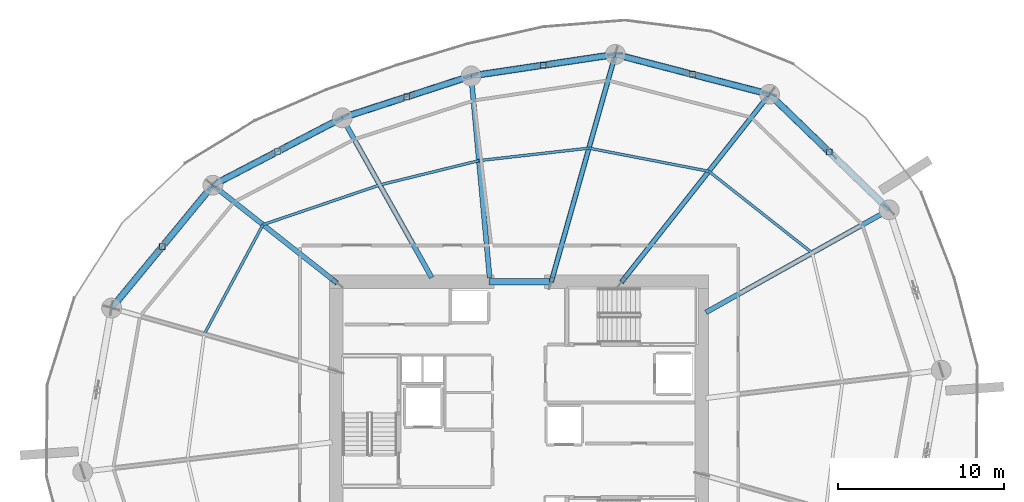
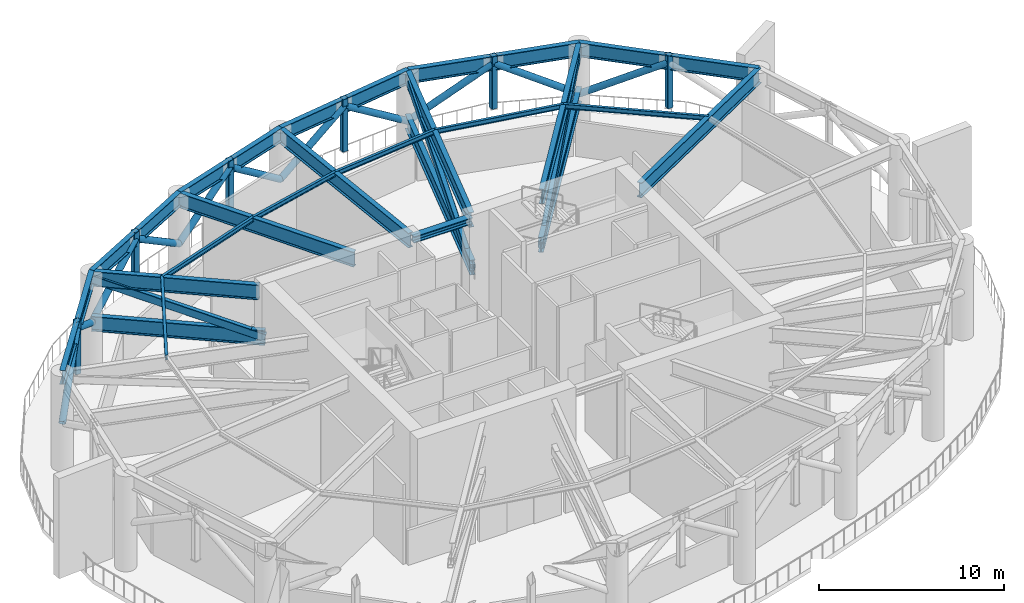
# One storey, part 7 of 19: 22 beams, 20 members.
"""IFC4 building model written with IfcOpenShell, lengths in metres."""

import ifcopenshell
import ifcopenshell.guid

model = None  # the IFC model being written
_history = None  # IfcOwnerHistory: only IFC2X3 demands one
_inside = {}  # id of a spatial element -> (the spatial element, [elements in it])
_under = {}  # id of a project, library or spatial element -> (it, [spatial elements below it])
_declared = {}  # id of a project -> (the project, [libraries it declares])
_typed = {}  # id of a type object -> (the type object, [elements of that type])
_made_of = {}  # id of a material, layer set ... -> (it, [elements and type objects made of it])


def new_model(schema):
    """Start an empty IFC model of exactly this schema.

    Asked for "IFC4X3", IfcOpenShell would pick the latest addendum, in which some entities
    have other attributes; the version numbers below select the first issue.
    IFC2X3 requires an IfcOwnerHistory on every rooted entity: one is made here for all.
    """
    global model, _history
    if schema == "IFC4X3":
        model = ifcopenshell.file(schema_version=(4, 3, 0, 0))
    else:
        model = ifcopenshell.file(schema=schema)
    _inside.clear()
    _under.clear()
    _declared.clear()
    _typed.clear()
    _made_of.clear()
    _history = None
    if model.schema == "IFC2X3":
        org = make("IfcOrganization", Name="unknown")
        user = make(
            "IfcPersonAndOrganization",
            ThePerson=make("IfcPerson", FamilyName="unknown"),
            TheOrganization=org,
        )
        app = make(
            "IfcApplication",
            ApplicationDeveloper=org,
            Version="unknown",
            ApplicationFullName="unknown",
            ApplicationIdentifier="unknown",
        )
        _history = make(
            "IfcOwnerHistory",
            OwningUser=user,
            OwningApplication=app,
            ChangeAction="ADDED",
            CreationDate=0,
        )
    return model


def make(cls, **values):
    """One entity of the class cls with the attributes given. An attribute that is None is left unset."""
    return model.create_entity(
        cls, **{name: value for name, value in values.items() if value is not None}
    )


def rooted(cls, **values):
    """An entity with a GlobalId (a new one), such as an element, a storey or a relation."""
    return make(cls, GlobalId=ifcopenshell.guid.new(), OwnerHistory=_history, **values)


def si_unit(unit_type, name, prefix=None):
    """IfcSIUnit, for example si_unit("LENGTHUNIT", "METRE", prefix="MILLI")."""
    return make("IfcSIUnit", UnitType=unit_type, Prefix=prefix, Name=name)


def assignment(units):
    """IfcUnitAssignment: the units of a project."""
    return None if units is None else make("IfcUnitAssignment", Units=units)


def point(xyz):
    """IfcCartesianPoint."""
    return None if xyz is None else make("IfcCartesianPoint", Coordinates=xyz)


def direction(xyz):
    """IfcDirection."""
    return None if xyz is None else make("IfcDirection", DirectionRatios=xyz)


def frame(location, z_axis=None, x_axis=None):
    """IfcAxis2Placement3D, a coordinate frame: its origin and axes. An axis left out is left unset."""
    return make(
        "IfcAxis2Placement3D",
        Location=point(location),
        Axis=direction(z_axis),
        RefDirection=direction(x_axis),
    )


def frame_2d(location, x_axis=None):
    """IfcAxis2Placement2D, a coordinate frame in the plane: its origin and x axis."""
    return make(
        "IfcAxis2Placement2D", Location=point(location), RefDirection=direction(x_axis)
    )


def origin():
    """The frame at (0, 0, 0) with its axes left unset."""
    return frame((0.0, 0.0, 0.0))


def origin_2d():
    """The frame at (0, 0) in the plane with its x axis left unset."""
    return frame_2d((0.0, 0.0))


def place(relative_to, where):
    """IfcLocalPlacement: puts the frame where relative to a parent placement (None: the world)."""
    return make(
        "IfcLocalPlacement", PlacementRelTo=relative_to, RelativePlacement=where
    )


def context(
    kind, dimensions, precision=None, world=None, true_north=None, identifier=None
):
    """IfcGeometricRepresentationContext, for example the 3D "Model" context."""
    return make(
        "IfcGeometricRepresentationContext",
        ContextIdentifier=identifier,
        ContextType=kind,
        CoordinateSpaceDimension=dimensions,
        Precision=precision,
        WorldCoordinateSystem=world,
        TrueNorth=true_north,
    )


def subcontext(parent, identifier, kind, view, scale=None):
    """IfcGeometricRepresentationSubContext, for example "Body" below "Model"."""
    return make(
        "IfcGeometricRepresentationSubContext",
        ContextIdentifier=identifier,
        ContextType=kind,
        ParentContext=parent,
        TargetScale=scale,
        TargetView=view,
    )


def project(units=None, contexts=None):
    """IfcProject with its units and contexts."""
    return rooted(
        "IfcProject",
        Name="project",
        RepresentationContexts=contexts,
        UnitsInContext=assignment(units),
    )


def spatial(cls, under=None, at=None, **own):
    """A site, building, storey or space (cls), placed at a placement, below another one or the project."""
    s = rooted(cls, ObjectPlacement=at, **own)
    if under is not None:
        _under.setdefault(under.id(), (under, []))[1].append(s)
    return s


def profile(cls, at=None, kind="AREA", **sizes):
    """A parametric profile (cls). Its sizes go by their IFC names, for example OverallWidth=200.0."""
    return make(cls, ProfileType=kind, Position=at, **sizes)


def hollow_rectangle(**sizes):
    """IfcRectangleHollowProfileDef."""
    return profile("IfcRectangleHollowProfileDef", **sizes)


def hollow_circle(**sizes):
    """IfcCircleHollowProfileDef."""
    return profile("IfcCircleHollowProfileDef", **sizes)


def i_section(**sizes):
    """IfcIShapeProfileDef."""
    return profile("IfcIShapeProfileDef", **sizes)


def extrude(swept, where, along, depth):
    """IfcExtrudedAreaSolid: the profile swept, set in the frame where, extruded along a direction by depth."""
    return make(
        "IfcExtrudedAreaSolid",
        SweptArea=swept,
        Position=where,
        ExtrudedDirection=direction(along),
        Depth=depth,
    )


def shape(context_of_items, identifier, shape_type, items):
    """IfcShapeRepresentation: the items that make up one representation, for example the "Body"."""
    return make(
        "IfcShapeRepresentation",
        ContextOfItems=context_of_items,
        RepresentationIdentifier=identifier,
        RepresentationType=shape_type,
        Items=items,
    )


def material(Name=None, Category=None):
    """IfcMaterial."""
    return make("IfcMaterial", Name=Name, Category=Category)


def material_profile(
    of_material, cross_section, Name=None, Category=None, Priority=None
):
    """IfcMaterialProfile: a cross section and its material."""
    return make(
        "IfcMaterialProfile",
        Name=Name,
        Material=of_material,
        Profile=cross_section,
        Priority=Priority,
        Category=Category,
    )


def profile_set(profiles, Name=None, composite=None):
    """IfcMaterialProfileSet."""
    return make(
        "IfcMaterialProfileSet",
        Name=Name,
        MaterialProfiles=profiles,
        CompositeProfile=composite,
    )


def made_of(thing, what):
    """Note that an element or type object is made of a material, layer set ...; save() writes the relation."""
    if what is not None:
        _made_of.setdefault(what.id(), (what, []))[1].append(thing)
    return thing


def type_object(cls, material=None, **own):
    """A type object (cls), such as IfcWallType, which elements share."""
    return made_of(rooted(cls, **own), material)


def element(
    cls,
    number,
    at=None,
    inside=None,
    cuts=None,
    type_object=None,
    material=None,
    context=None,
    identifier="Body",
    shape_type=None,
    held_by="IfcProductDefinitionShape",
    body=None,
    shapes=None,
    **own,
):
    """One element of the class cls, such as IfcWall. Its Tag is "e" and its number.

    at: its placement. inside: the storey or other place that contains it. cuts: it is an
    opening in that element (IfcRelVoidsElement). A single representation is given by context,
    identifier, shape_type and body (its items); several are given by shapes. held_by: the class
    of the entity that holds the representations. save() writes the other relations.
    """
    e = rooted(cls, Tag="e%d" % number, ObjectPlacement=at, **own)
    if body is not None:
        shapes = [shape(context, identifier, shape_type, body)]
    if shapes is not None:
        e.Representation = make(held_by, Representations=shapes)
    if inside is not None:
        _inside.setdefault(inside.id(), (inside, []))[1].append(e)
    if cuts is not None:
        rooted(
            "IfcRelVoidsElement", RelatingBuildingElement=cuts, RelatedOpeningElement=e
        )
    if type_object is not None:
        _typed.setdefault(type_object.id(), (type_object, []))[1].append(e)
    return made_of(e, material)


def aggregate(whole, parts):
    """IfcRelAggregates: a whole, such as a stair, and the parts it consists of."""
    return rooted("IfcRelAggregates", RelatingObject=whole, RelatedObjects=parts)


def save(model, path):
    """Write the relations noted so far, then the file.

    IfcRelAggregates (storeys below a building ...), IfcRelContainedInSpatialStructure (elements
    in a storey), IfcRelDefinesByType, IfcRelAssociatesMaterial and IfcRelDeclares: one each for
    every whole, place, type object, material and project.
    """
    for whole, parts in _under.values():
        aggregate(whole, parts)
    for where, things in _inside.values():
        rooted(
            "IfcRelContainedInSpatialStructure",
            RelatedElements=things,
            RelatingStructure=where,
        )
    for kind, things in _typed.values():
        rooted("IfcRelDefinesByType", RelatedObjects=things, RelatingType=kind)
    for what, things in _made_of.values():
        rooted("IfcRelAssociatesMaterial", RelatedObjects=things, RelatingMaterial=what)
    for by, libraries in _declared.values():
        rooted("IfcRelDeclares", RelatingContext=by, RelatedDefinitions=libraries)
    model.write(path)


model = new_model("IFC4")

# Units and contexts
model_context = context("Model", 3, precision=1e-05, world=origin(), true_north=direction((0.0, 1.0)))
body_context = subcontext(model_context, "Body", "Model", "MODEL_VIEW")
ifc_project = project(units=[si_unit("LENGTHUNIT", "METRE"), si_unit("AREAUNIT", "SQUARE_METRE"), si_unit("VOLUMEUNIT", "CUBIC_METRE"), si_unit("PLANEANGLEUNIT", "RADIAN"), si_unit("MASSUNIT", "GRAM", prefix="KILO")], contexts=[model_context])

# Site, building, storey
site_placement = place(None, origin())
site = spatial("IfcSite", under=ifc_project, at=site_placement, CompositionType="ELEMENT")
building_placement = place(site_placement, origin())
building = spatial("IfcBuilding", under=site, at=building_placement, Name="Kazma Halo Residences", CompositionType="ELEMENT")
storey_placement = place(building_placement, frame((0.0, 0.0, 116.39990234375)))
storey = spatial("IfcBuildingStorey", under=building, at=storey_placement, Name="L29", CompositionType="ELEMENT", Elevation=116.39990234375)

# Beams
ifc_material = material(Name="Steel S355", Category="steel")
ifc_material_profile_1 = material_profile(ifc_material, i_section(OverallWidth=0.30908203125, OverallDepth=0.931884765625, WebThickness=0.02099609375, FlangeThickness=0.034423828125, FilletRadius=0.02392578125, at=origin_2d()), Name="W920x313")
ifc_profile_set_1 = profile_set([ifc_material_profile_1], Name="Steel S355")
beam_type_1 = type_object("IfcBeamType", Name="BM-BELT-W920A", PredefinedType="BEAM", material=ifc_profile_set_1)
beam_1_placement = place(storey_placement, frame((70.7529296875, 54.7421875, 5.814208984375), z_axis=(-0.71933980474, 0.694658365901, 0.0), x_axis=(-0.694658365901, -0.71933980474, 0.0)))
element("IfcBeam", 1, at=beam_1_placement, inside=storey, type_object=beam_type_1, Name="L29 perimeter ring beam 01", PredefinedType="BEAM", context=body_context, shape_type="SweptSolid", body=[
    extrude(i_section(OverallWidth=0.30908203125, OverallDepth=0.931884765625, WebThickness=0.02099609375, FlangeThickness=0.034423828125, FilletRadius=0.02392578125, at=origin_2d()), origin(), (0.0, 0.0, 1.0), 10.0302734375),
])
beam_2_placement = place(storey_placement, frame((63.537841796875, 61.709716796875, 5.814208984375), z_axis=(-0.968129383871, 0.250450586115, 0.0), x_axis=(-0.250450586115, -0.968129383871, 0.0)))
element("IfcBeam", 2, at=beam_2_placement, inside=storey, type_object=beam_type_1, Name="L29 perimeter ring beam 02", PredefinedType="BEAM", context=body_context, shape_type="SweptSolid", body=[
    extrude(i_section(OverallWidth=0.30908203125, OverallDepth=0.931884765625, WebThickness=0.02099609375, FlangeThickness=0.034423828125, FilletRadius=0.02392578125, at=origin_2d()), origin(), (0.0, 0.0, 1.0), 9.606689453125),
])
beam_3_placement = place(storey_placement, frame((54.2373046875, 64.11572265625, 5.814208984375), z_axis=(-0.989037895596, -0.147661914772, 0.0), x_axis=(0.147661914772, -0.989037895596, 0.0)))
element("IfcBeam", 3, at=beam_3_placement, inside=storey, type_object=beam_type_1, Name="L29 perimeter ring beam 03", PredefinedType="BEAM", context=body_context, shape_type="SweptSolid", body=[
    extrude(i_section(OverallWidth=0.30908203125, OverallDepth=0.931884765625, WebThickness=0.02099609375, FlangeThickness=0.034423828125, FilletRadius=0.02392578125, at=origin_2d()), origin(), (0.0, 0.0, 1.0), 8.797607421875),
])
beam_4_placement = place(storey_placement, frame((45.5361328125, 62.816650390625, 5.814208984375), z_axis=(-0.951050080811, -0.309036800058, 0.0), x_axis=(0.309036800058, -0.951050080811, 0.0)))
element("IfcBeam", 4, at=beam_4_placement, inside=storey, type_object=beam_type_1, Name="L29 perimeter ring beam 04", PredefinedType="BEAM", context=body_context, shape_type="SweptSolid", body=[
    extrude(i_section(OverallWidth=0.30908203125, OverallDepth=0.931884765625, WebThickness=0.02099609375, FlangeThickness=0.034423828125, FilletRadius=0.02392578125, at=origin_2d()), origin(), (0.0, 0.0, 1.0), 8.178955078125),
])
beam_5_placement = place(storey_placement, frame((37.757568359375, 60.2890625, 5.814208984375), z_axis=(-0.886952216375, -0.46186119762, 0.0), x_axis=(0.46186119762, -0.886952216375, 0.0)))
element("IfcBeam", 5, at=beam_5_placement, inside=storey, type_object=beam_type_1, Name="L29 perimeter ring beam 05", PredefinedType="BEAM", context=body_context, shape_type="SweptSolid", body=[
    extrude(i_section(OverallWidth=0.30908203125, OverallDepth=0.931884765625, WebThickness=0.02099609375, FlangeThickness=0.034423828125, FilletRadius=0.02392578125, at=origin_2d()), origin(), (0.0, 0.0, 1.0), 8.797607421875),
])
beam_6_placement = place(storey_placement, frame((29.95458984375, 56.225830078125, 5.814208984375), z_axis=(-0.636018081662, -0.771674153901, 0.0), x_axis=(0.771674153901, -0.636018081662, 0.0)))
element("IfcBeam", 6, at=beam_6_placement, inside=storey, type_object=beam_type_1, Name="L29 perimeter ring beam 06", PredefinedType="BEAM", context=body_context, shape_type="SweptSolid", body=[
    extrude(i_section(OverallWidth=0.30908203125, OverallDepth=0.931884765625, WebThickness=0.02099609375, FlangeThickness=0.034423828125, FilletRadius=0.02392578125, at=origin_2d()), origin(), (0.0, 0.0, 1.0), 9.60693359375),
])
ifc_material_profile_2 = material_profile(ifc_material, i_section(OverallWidth=0.408935546875, OverallDepth=0.425048828125, WebThickness=0.03271484375, FlangeThickness=0.052490234375, FilletRadius=0.02001953125, at=origin_2d()), Name="W360x421")
ifc_profile_set_2 = profile_set([ifc_material_profile_2], Name="Steel S355")
beam_type_2 = type_object("IfcBeamType", Name="BM-CORE-W360H", PredefinedType="BEAM", material=ifc_profile_set_2)
beam_7_placement = place(storey_placement, frame((46.60009765625, 50.39990234375, 6.067626953125), z_axis=(1.0, 0.0, 0.0), x_axis=(0.0, 1.0, 0.0)))
element("IfcBeam", 7, at=beam_7_placement, inside=storey, type_object=beam_type_2, Name="L29 core coupling beam N", PredefinedType="BEAM", context=body_context, shape_type="SweptSolid", body=[
    extrude(i_section(OverallWidth=0.408935546875, OverallDepth=0.425048828125, WebThickness=0.03271484375, FlangeThickness=0.052490234375, FilletRadius=0.02001953125, at=origin_2d()), origin(), (0.0, 0.0, 1.0), 3.64990234375),
])
ifc_material_profile_3 = material_profile(ifc_material, i_section(OverallWidth=0.300048828125, OverallDepth=0.98193359375, WebThickness=0.0166015625, FlangeThickness=0.032958984375, FilletRadius=0.02587890625, at=origin_2d()), Name="W1000x296")
ifc_profile_set_3 = profile_set([ifc_material_profile_3], Name="Steel S355")
beam_type_3 = type_object("IfcBeamType", Name="BM-OUTR-W1000C", PredefinedType="BEAM", material=ifc_profile_set_3)
beam_8_placement = place(storey_placement, frame((59.699951171875, 48.55224609375, 5.7890625), z_axis=(0.872496814107, 0.48861980043, 0.0), x_axis=(-0.48861980043, 0.872496814107, 0.0)))
element("IfcBeam", 8, at=beam_8_placement, inside=storey, type_object=beam_type_3, Name="L29 radial floor beam 01", PredefinedType="BEAM", context=body_context, shape_type="SweptSolid", body=[
    extrude(i_section(OverallWidth=0.300048828125, OverallDepth=0.98193359375, WebThickness=0.0166015625, FlangeThickness=0.032958984375, FilletRadius=0.02587890625, at=origin_2d()), origin(), (0.0, 0.0, 1.0), 12.668212890625),
])
beam_9_placement = place(storey_placement, frame((54.819091796875, 50.64990234375, 5.7890625), z_axis=(0.619089364637, 0.785320545123, 0.0), x_axis=(-0.785320545123, 0.619089364637, 0.0)))
element("IfcBeam", 9, at=beam_9_placement, inside=storey, type_object=beam_type_3, Name="L29 radial floor beam 02", PredefinedType="BEAM", context=body_context, shape_type="SweptSolid", body=[
    extrude(i_section(OverallWidth=0.300048828125, OverallDepth=0.98193359375, WebThickness=0.0166015625, FlangeThickness=0.032958984375, FilletRadius=0.02587890625, at=origin_2d()), origin(), (0.0, 0.0, 1.0), 14.083251953125),
])
beam_10_placement = place(storey_placement, frame((50.439697265625, 50.64990234375, 5.7890625), z_axis=(0.271430738381, 0.962457975323, 0.0), x_axis=(-0.962457975323, 0.271430738381, 0.0)))
element("IfcBeam", 10, at=beam_10_placement, inside=storey, type_object=beam_type_3, Name="L29 radial floor beam 03", PredefinedType="BEAM", context=body_context, shape_type="SweptSolid", body=[
    extrude(i_section(OverallWidth=0.300048828125, OverallDepth=0.98193359375, WebThickness=0.0166015625, FlangeThickness=0.032958984375, FilletRadius=0.02587890625, at=origin_2d()), origin(), (0.0, 0.0, 1.0), 13.990966796875),
])
beam_11_placement = place(storey_placement, frame((46.64990234375, 50.64990234375, 5.7890625), z_axis=(-0.091160923589, 0.995836174283, 0.0), x_axis=(-0.995836174283, -0.091160923589, 0.0)))
element("IfcBeam", 11, at=beam_11_placement, inside=storey, type_object=beam_type_3, Name="L29 radial floor beam 04", PredefinedType="BEAM", context=body_context, shape_type="SweptSolid", body=[
    extrude(i_section(OverallWidth=0.300048828125, OverallDepth=0.98193359375, WebThickness=0.0166015625, FlangeThickness=0.032958984375, FilletRadius=0.02587890625, at=origin_2d()), origin(), (0.0, 0.0, 1.0), 12.217529296875),
])
beam_12_placement = place(storey_placement, frame((43.15576171875, 50.64990234375, 5.7890625), z_axis=(-0.488621537567, 0.872495841266, 0.0), x_axis=(-0.872495841266, -0.488621537567, 0.0)))
element("IfcBeam", 12, at=beam_12_placement, inside=storey, type_object=beam_type_3, Name="L29 radial floor beam 05", PredefinedType="BEAM", context=body_context, shape_type="SweptSolid", body=[
    extrude(i_section(OverallWidth=0.300048828125, OverallDepth=0.98193359375, WebThickness=0.0166015625, FlangeThickness=0.032958984375, FilletRadius=0.02587890625, at=origin_2d()), origin(), (0.0, 0.0, 1.0), 11.0478515625),
])
beam_13_placement = place(storey_placement, frame((37.14990234375, 50.553466796875, 5.7890625), z_axis=(-0.785315005772, 0.61909639129, 0.0), x_axis=(-0.61909639129, -0.785315005772, 0.0)))
element("IfcBeam", 13, at=beam_13_placement, inside=storey, type_object=beam_type_3, Name="L29 radial floor beam 06", PredefinedType="BEAM", context=body_context, shape_type="SweptSolid", body=[
    extrude(i_section(OverallWidth=0.300048828125, OverallDepth=0.98193359375, WebThickness=0.0166015625, FlangeThickness=0.032958984375, FilletRadius=0.02587890625, at=origin_2d()), origin(), (0.0, 0.0, 1.0), 9.162353515625),
])
beam_14_placement = place(storey_placement, frame((54.6220703125, 50.39990234375, 2.820068359375), z_axis=(0.61908678416, 0.785322579376, 0.0), x_axis=(-0.785322579376, 0.61908678416, 0.0)))
element("IfcBeam", 14, at=beam_14_placement, inside=storey, type_object=beam_type_3, Name="L29 radial outrigger bottom chord 01", PredefinedType="BEAM", context=body_context, shape_type="SweptSolid", body=[
    extrude(i_section(OverallWidth=0.300048828125, OverallDepth=0.98193359375, WebThickness=0.0166015625, FlangeThickness=0.032958984375, FilletRadius=0.02587890625, at=origin_2d()), origin(), (0.0, 0.0, 1.0), 14.4013671875),
])
beam_15_placement = place(storey_placement, frame((50.368896484375, 50.39990234375, 2.820068359375), z_axis=(0.271449992475, 0.962452545108, 0.0), x_axis=(-0.962452545108, 0.271449992475, 0.0)))
element("IfcBeam", 15, at=beam_15_placement, inside=storey, type_object=beam_type_3, Name="L29 radial outrigger bottom chord 02", PredefinedType="BEAM", context=body_context, shape_type="SweptSolid", body=[
    extrude(i_section(OverallWidth=0.300048828125, OverallDepth=0.98193359375, WebThickness=0.0166015625, FlangeThickness=0.032958984375, FilletRadius=0.02587890625, at=origin_2d()), origin(), (0.0, 0.0, 1.0), 14.2509765625),
])
beam_16_placement = place(storey_placement, frame((37.39990234375, 50.3564453125, 2.820068359375), z_axis=(-0.785318281901, 0.619092235545, 0.0), x_axis=(-0.619092235545, -0.785318281901, 0.0)))
element("IfcBeam", 16, at=beam_16_placement, inside=storey, type_object=beam_type_3, Name="L29 radial outrigger bottom chord 03", PredefinedType="BEAM", context=body_context, shape_type="SweptSolid", body=[
    extrude(i_section(OverallWidth=0.300048828125, OverallDepth=0.98193359375, WebThickness=0.0166015625, FlangeThickness=0.032958984375, FilletRadius=0.02587890625, at=origin_2d()), origin(), (0.0, 0.0, 1.0), 9.480712890625),
])
ifc_material_profile_4 = material_profile(ifc_material, i_section(OverallWidth=0.1650390625, OverallDepth=0.31005859375, WebThickness=0.005859375, FlangeThickness=0.009765625, FilletRadius=0.011962890625, at=origin_2d()), Name="W310x38.7")
ifc_profile_set_4 = profile_set([ifc_material_profile_4], Name="Steel S355")
beam_type_4 = type_object("IfcBeamType", Name="BM-SEC-W310B", PredefinedType="JOIST", material=ifc_profile_set_4)
beam_17_placement = place(storey_placement, frame((66.110595703125, 52.142333984375, 6.125), z_axis=(-0.784864670707, 0.619667208004, 0.0), x_axis=(-0.619667208004, -0.784864670707, 0.0)))
element("IfcBeam", 17, at=beam_17_placement, inside=storey, type_object=beam_type_4, Name="L29 circumferential floor joist 01", PredefinedType="JOIST", context=body_context, shape_type="SweptSolid", body=[
    extrude(i_section(OverallWidth=0.1650390625, OverallDepth=0.31005859375, WebThickness=0.005859375, FlangeThickness=0.009765625, FilletRadius=0.011962890625, at=origin_2d()), origin(), (0.0, 0.0, 1.0), 7.943603515625),
])
beam_18_placement = place(storey_placement, frame((59.8759765625, 57.064697265625, 6.125), z_axis=(-0.981894944098, 0.189426288449, 0.0), x_axis=(-0.189426288449, -0.981894944098, 0.0)))
element("IfcBeam", 18, at=beam_18_placement, inside=storey, type_object=beam_type_4, Name="L29 circumferential floor joist 02", PredefinedType="JOIST", context=body_context, shape_type="SweptSolid", body=[
    extrude(i_section(OverallWidth=0.1650390625, OverallDepth=0.31005859375, WebThickness=0.005859375, FlangeThickness=0.009765625, FilletRadius=0.011962890625, at=origin_2d()), origin(), (0.0, 0.0, 1.0), 7.366943359375),
])
beam_19_placement = place(storey_placement, frame((52.642333984375, 58.460205078125, 6.125), z_axis=(-0.993617082201, -0.11280555819, 0.0), x_axis=(0.11280555819, -0.993617082201, 0.0)))
element("IfcBeam", 19, at=beam_19_placement, inside=storey, type_object=beam_type_4, Name="L29 circumferential floor joist 03", PredefinedType="JOIST", context=body_context, shape_type="SweptSolid", body=[
    extrude(i_section(OverallWidth=0.1650390625, OverallDepth=0.31005859375, WebThickness=0.005859375, FlangeThickness=0.009765625, FilletRadius=0.011962890625, at=origin_2d()), origin(), (0.0, 0.0, 1.0), 6.68115234375),
])
beam_20_placement = place(storey_placement, frame((46.00390625, 57.70654296875, 6.125), z_axis=(-0.971238191184, -0.238110008161, 0.0), x_axis=(0.238110008161, -0.971238191184, 0.0)))
element("IfcBeam", 20, at=beam_20_placement, inside=storey, type_object=beam_type_4, Name="L29 circumferential floor joist 04", PredefinedType="JOIST", context=body_context, shape_type="SweptSolid", body=[
    extrude(i_section(OverallWidth=0.1650390625, OverallDepth=0.31005859375, WebThickness=0.005859375, FlangeThickness=0.009765625, FilletRadius=0.011962890625, at=origin_2d()), origin(), (0.0, 0.0, 1.0), 6.156005859375),
])
beam_21_placement = place(storey_placement, frame((40.02490234375, 56.24072265625, 6.125), z_axis=(-0.946740758216, -0.321996796153, 0.0), x_axis=(0.321996796153, -0.946740758216, 0.0)))
element("IfcBeam", 21, at=beam_21_placement, inside=storey, type_object=beam_type_4, Name="L29 circumferential floor joist 05", PredefinedType="JOIST", context=body_context, shape_type="SweptSolid", body=[
    extrude(i_section(OverallWidth=0.1650390625, OverallDepth=0.31005859375, WebThickness=0.005859375, FlangeThickness=0.009765625, FilletRadius=0.011962890625, at=origin_2d()), origin(), (0.0, 0.0, 1.0), 7.44482421875),
])
beam_22_placement = place(storey_placement, frame((32.9765625, 53.843505859375, 6.125), z_axis=(-0.472650580169, -0.881249924293, 0.0), x_axis=(0.881249924293, -0.472650580169, 0.0)))
element("IfcBeam", 22, at=beam_22_placement, inside=storey, type_object=beam_type_4, Name="L29 circumferential floor joist 06", PredefinedType="JOIST", context=body_context, shape_type="SweptSolid", body=[
    extrude(i_section(OverallWidth=0.1650390625, OverallDepth=0.31005859375, WebThickness=0.005859375, FlangeThickness=0.009765625, FilletRadius=0.011962890625, at=origin_2d()), origin(), (0.0, 0.0, 1.0), 7.49755859375),
])

# Members
ifc_material_profile_5 = material_profile(ifc_material, hollow_rectangle(XDim=0.300048828125, YDim=0.5, WallThickness=0.02001953125, InnerFilletRadius=0.02001953125, OuterFilletRadius=0.0400390625, at=origin_2d()), Name="RHS500x300x20")
ifc_profile_set_5 = profile_set([ifc_material_profile_5], Name="Steel S355")
member_type_1 = type_object("IfcMemberType", Name="MBR-OUTR-RHS500", PredefinedType="BRACE", material=ifc_profile_set_5)
member_1_placement = place(storey_placement, frame((54.6220703125, 50.39990234375, 2.820068359375), z_axis=(0.60657662938, 0.769453225884, 0.200016314001), x_axis=(-0.785322579376, 0.61908678416, 0.0)))
element("IfcMember", 23, at=member_1_placement, inside=storey, type_object=member_type_1, Name="L29 radial outrigger truss brace 01", PredefinedType="BRACE", context=body_context, shape_type="SweptSolid", body=[
    extrude(hollow_rectangle(XDim=0.300048828125, YDim=0.5, WallThickness=0.02001953125, InnerFilletRadius=0.02001953125, OuterFilletRadius=0.0400390625, at=origin_2d()), origin(), (0.0, 0.0, 1.0), 14.698486328125),
])
member_2_placement = place(storey_placement, frame((50.368896484375, 50.39990234375, 2.820068359375), z_axis=(0.265851731015, 0.942603360581, 0.202043959917), x_axis=(-0.962452545108, 0.271449992475, 0.0)))
element("IfcMember", 24, at=member_2_placement, inside=storey, type_object=member_type_1, Name="L29 radial outrigger truss brace 02", PredefinedType="BRACE", context=body_context, shape_type="SweptSolid", body=[
    extrude(hollow_rectangle(XDim=0.300048828125, YDim=0.5, WallThickness=0.02001953125, InnerFilletRadius=0.02001953125, OuterFilletRadius=0.0400390625, at=origin_2d()), origin(), (0.0, 0.0, 1.0), 14.551025390625),
])
member_3_placement = place(storey_placement, frame((37.39990234375, 50.3564453125, 2.820068359375), z_axis=(-0.750081341006, 0.591313795879, 0.296185713156), x_axis=(-0.619092235545, -0.785318281901, 0.0)))
element("IfcMember", 25, at=member_3_placement, inside=storey, type_object=member_type_1, Name="L29 radial outrigger truss brace 03", PredefinedType="BRACE", context=body_context, shape_type="SweptSolid", body=[
    extrude(hollow_rectangle(XDim=0.300048828125, YDim=0.5, WallThickness=0.02001953125, InnerFilletRadius=0.02001953125, OuterFilletRadius=0.0400390625, at=origin_2d()), origin(), (0.0, 0.0, 1.0), 9.926025390625),
])
ifc_material_profile_6 = material_profile(ifc_material, hollow_rectangle(XDim=0.35009765625, YDim=0.35009765625, WallThickness=0.01611328125, InnerFilletRadius=0.01611328125, OuterFilletRadius=0.031982421875, at=origin_2d()), Name="SHS350x350x16")
ifc_profile_set_6 = profile_set([ifc_material_profile_6], Name="Steel S355")
member_type_2 = type_object("IfcMemberType", Name="MBR-POST-SHS350", PredefinedType="STRUT", material=ifc_profile_set_6)
for number, where, z_axis, x_axis, name in (
    (26, (67.145263671875, 58.225830078125, 2.820068359375), (0.0, 0.0, 1.0), (1.0, 0.0, 0.0), "L29 belt-truss web post 01"),
    (27, (58.887451171875, 62.91259765625, 2.820068359375), (0.0, 0.0, 1.0), (1.0, 0.0, 0.0), "L29 belt-truss web post 02"),
    (28, (49.88671875, 63.46630859375, 2.820068359375), (0.0, 0.0, 1.0), (1.0, 0.0, 0.0), "L29 belt-truss web post 03"),
    (29, (41.64697265625, 61.552734375, 2.820068359375), (0.0, 0.0, 1.0), (1.0, 0.0, 0.0), "L29 belt-truss web post 04"),
    (30, (33.85595703125, 58.257568359375, 2.820068359375), (0.0, 0.0, 1.0), (1.0, 0.0, 0.0), "L29 belt-truss web post 05"),
    (31, (26.8994140625, 52.519287109375, 2.820068359375), (0.0, 0.0, 1.0), (1.0, 0.0, 0.0), "L29 belt-truss web post 06"),
):
    element("IfcMember", number, at=place(storey_placement, frame(where, z_axis=z_axis, x_axis=x_axis)), inside=storey, type_object=member_type_2, Name=name, PredefinedType="STRUT", context=body_context, shape_type="SweptSolid", body=[
        extrude(hollow_rectangle(XDim=0.35009765625, YDim=0.35009765625, WallThickness=0.01611328125, InnerFilletRadius=0.01611328125, OuterFilletRadius=0.031982421875, at=origin_2d()), origin(), (0.0, 0.0, 1.0), 3.4599609375),
    ])
ifc_material_profile_7 = material_profile(ifc_material, hollow_circle(Radius=0.203125, WallThickness=0.01611328125, at=origin_2d()), Name="CHS406.4x16")
ifc_profile_set_7 = profile_set([ifc_material_profile_7], Name="Steel S355")
member_type_3 = type_object("IfcMemberType", Name="MBR-WIND-CHS406", PredefinedType="BRACE", material=ifc_profile_set_7)
member_4_placement = place(storey_placement, frame((63.537841796875, 61.709716796875, 2.820068359375), z_axis=(0.620548535274, -0.599298023712, 0.505728577543), x_axis=(0.694683123499, 0.719315895783, 0.0)))
element("IfcMember", 32, at=member_4_placement, inside=storey, type_object=member_type_3, Name="L29 belt-truss chevron diagonal 01B", PredefinedType="BRACE", context=body_context, shape_type="SweptSolid", body=[
    extrude(hollow_circle(Radius=0.203125, WallThickness=0.01611328125, at=origin_2d()), origin(), (0.0, 0.0, 1.0), 5.813232421875),
])
member_5_placement = place(storey_placement, frame((63.537841796875, 61.709716796875, 2.820068359375), z_axis=(-0.82574908652, 0.213590180034, 0.522032260598), x_axis=(-0.250420605076, -0.968137139332, 0.0)))
element("IfcMember", 33, at=member_5_placement, inside=storey, type_object=member_type_3, Name="L29 belt-truss chevron diagonal 02A", PredefinedType="BRACE", context=body_context, shape_type="SweptSolid", body=[
    extrude(hollow_circle(Radius=0.203125, WallThickness=0.01611328125, at=origin_2d()), origin(), (0.0, 0.0, 1.0), 5.6318359375),
])
member_6_placement = place(storey_placement, frame((54.2373046875, 64.11572265625, 2.820068359375), z_axis=(0.825727647192, -0.213639200155, 0.522046113691), x_axis=(0.250480568007, 0.968121627199, 0.0)))
element("IfcMember", 34, at=member_6_placement, inside=storey, type_object=member_type_3, Name="L29 belt-truss chevron diagonal 02B", PredefinedType="BRACE", context=body_context, shape_type="SweptSolid", body=[
    extrude(hollow_circle(Radius=0.203125, WallThickness=0.01611328125, at=origin_2d()), origin(), (0.0, 0.0, 1.0), 5.631591796875),
])
for number, where, z_axis, x_axis, name in (
    (35, (54.2373046875, 64.11572265625, 2.820068359375), (-0.822292243872, -0.122743960084, 0.555670213283), (0.147634768902, -0.989041948054, 0.0), "L29 belt-truss chevron diagonal 03A"),
    (36, (45.5361328125, 62.816650390625, 2.820068359375), (0.822287585623, 0.12278940883, 0.555667065436), (-0.147689060308, 0.989033842427, 0.0), "L29 belt-truss chevron diagonal 03B"),
):
    element("IfcMember", number, at=place(storey_placement, frame(where, z_axis=z_axis, x_axis=x_axis)), inside=storey, type_object=member_type_3, Name=name, PredefinedType="BRACE", context=body_context, shape_type="SweptSolid", body=[
        extrude(hollow_circle(Radius=0.203125, WallThickness=0.01611328125, at=origin_2d()), origin(), (0.0, 0.0, 1.0), 5.290771484375),
    ])
member_7_placement = place(storey_placement, frame((45.5361328125, 62.816650390625, 2.820068359375), z_axis=(-0.772195408951, -0.250951389337, 0.583727376936), x_axis=(0.309072572907, -0.95103845594, 0.0)))
element("IfcMember", 37, at=member_7_placement, inside=storey, type_object=member_type_3, Name="L29 belt-truss chevron diagonal 04A", PredefinedType="BRACE", context=body_context, shape_type="SweptSolid", body=[
    extrude(hollow_circle(Radius=0.203125, WallThickness=0.01611328125, at=origin_2d()), origin(), (0.0, 0.0, 1.0), 5.036376953125),
])
member_8_placement = place(storey_placement, frame((37.757568359375, 60.2890625, 2.820068359375), z_axis=(0.77222436993, 0.250896575153, 0.583712627123), x_axis=(-0.309001028142, 0.95106170389, 0.0)))
element("IfcMember", 38, at=member_8_placement, inside=storey, type_object=member_type_3, Name="L29 belt-truss chevron diagonal 04B", PredefinedType="BRACE", context=body_context, shape_type="SweptSolid", body=[
    extrude(hollow_circle(Radius=0.203125, WallThickness=0.01611328125, at=origin_2d()), origin(), (0.0, 0.0, 1.0), 5.03662109375),
])
for number, where, z_axis, x_axis, name in (
    (39, (37.757568359375, 60.2890625, 2.820068359375), (-0.737430120846, -0.383965711505, 0.55566820069), (0.461827998156, -0.886969503489, 0.0), "L29 belt-truss chevron diagonal 05A"),
    (40, (29.95458984375, 56.225830078125, 2.820068359375), (0.737396002363, 0.384018118377, 0.555677262857), (-0.46189439722, 0.886934927611, 0.0), "L29 belt-truss chevron diagonal 05B"),
):
    element("IfcMember", number, at=place(storey_placement, frame(where, z_axis=z_axis, x_axis=x_axis)), inside=storey, type_object=member_type_3, Name=name, PredefinedType="BRACE", context=body_context, shape_type="SweptSolid", body=[
        extrude(hollow_circle(Radius=0.203125, WallThickness=0.01611328125, at=origin_2d()), origin(), (0.0, 0.0, 1.0), 5.290771484375),
    ])
for number, where, z_axis, x_axis, name in (
    (41, (29.95458984375, 56.225830078125, 2.820068359375), (-0.54249815138, -0.658159416194, 0.522036338414), (0.771651400372, -0.636045687278, 0.0), "L29 belt-truss chevron diagonal 06A"),
    (42, (23.844482421875, 48.8125, 2.820068359375), (0.542452079178, 0.658199466008, 0.522033719928), (-0.771696906286, 0.635990475423, 0.0), "L29 belt-truss chevron diagonal 06B"),
):
    element("IfcMember", number, at=place(storey_placement, frame(where, z_axis=z_axis, x_axis=x_axis)), inside=storey, type_object=member_type_3, Name=name, PredefinedType="BRACE", context=body_context, shape_type="SweptSolid", body=[
        extrude(hollow_circle(Radius=0.203125, WallThickness=0.01611328125, at=origin_2d()), origin(), (0.0, 0.0, 1.0), 5.631591796875),
    ])

save(model, "model.ifc")
